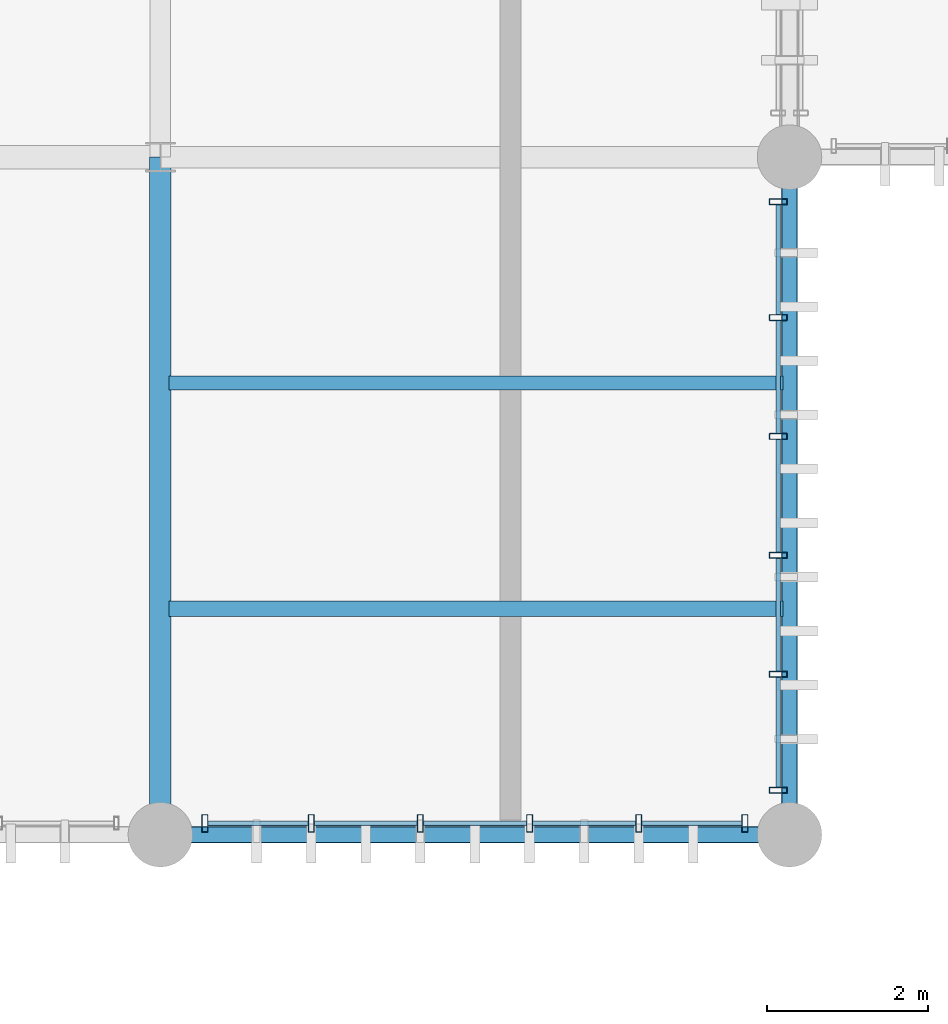
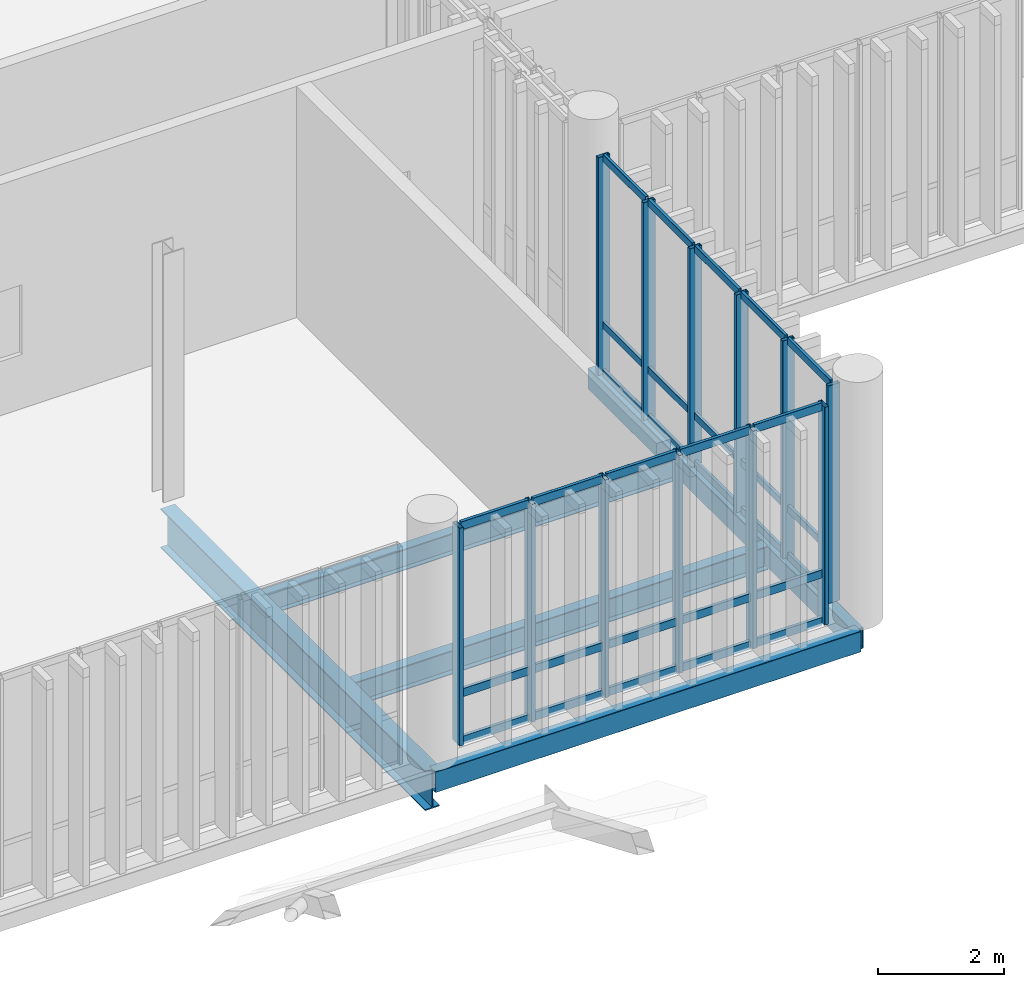
# One storey, part 18 of 94: 42 members, 5 beams, 2 elements without a shape of their own.
"""IFC4 building model written with IfcOpenShell, lengths in metres."""

from ifc_helpers import new_model, si_unit, direction, frame, origin_with_axes, origin_2d_with_axis, place, context, subcontext, project, spatial, hollow_rectangle, i_section, extrude, material, material_profile, profile_set, type_object, element, aggregate, save


model = new_model("IFC4")

# Units and contexts
model_context = context("Model", 3, precision=1e-05, world=origin_with_axes(), true_north=direction((0.0, 1.0)))
body_context = subcontext(model_context, "Body", "Model", "MODEL_VIEW")
ifc_project = project(units=[si_unit("LENGTHUNIT", "METRE"), si_unit("AREAUNIT", "SQUARE_METRE"), si_unit("VOLUMEUNIT", "CUBIC_METRE"), si_unit("PLANEANGLEUNIT", "RADIAN"), si_unit("MASSUNIT", "GRAM", prefix="KILO"), si_unit("THERMODYNAMICTEMPERATUREUNIT", "KELVIN")], contexts=[model_context])

# Site, building, storey
site_placement = place(None, origin_with_axes())
site = spatial("IfcSite", under=ifc_project, at=site_placement, CompositionType="ELEMENT")
building_placement = place(site_placement, origin_with_axes())
building = spatial("IfcBuilding", under=site, at=building_placement, Name="Montbau Bow Law Courts", CompositionType="ELEMENT")
storey_placement = place(building_placement, frame((0.0, 0.0, 15.6), z_axis=(0.0, 0.0, 1.0), x_axis=(1.0, 0.0, 0.0)))
storey = spatial("IfcBuildingStorey", under=building, at=storey_placement, Name="L03", CompositionType="ELEMENT", Elevation=15.6)

# Beams
ifc_material_1 = material(Name="Steel CSA G40.21 Grade 350W (350 MPa)", Category="steel")
ifc_material_profile_1 = material_profile(ifc_material_1, i_section(OverallWidth=0.267, OverallDepth=0.766, WebThickness=0.0149, FlangeThickness=0.0236, at=origin_2d_with_axis()), Name="W760X185", Category="Main", Priority=0)
ifc_profile_set_1 = profile_set([ifc_material_profile_1], Name="Steel CSA G40.21 Grade 350W (350 MPa)")
beam_type_1 = type_object("IfcBeamType", Name="B-FLR-03", PredefinedType="BEAM", material=ifc_profile_set_1)
beam_1_placement = place(None, frame((39.0, 30.6, 14.977), z_axis=(0.0, 1.0, 0.0), x_axis=(-1.0, 0.0, 0.0)))
element("IfcBeam", 1, at=beam_1_placement, inside=storey, type_object=beam_type_1, Name="BM-L03-S0611:bm2_0614", PredefinedType="BEAM", context=body_context, shape_type="SweptSolid", body=[
    extrude(i_section(OverallWidth=0.267, OverallDepth=0.766, WebThickness=0.0149, FlangeThickness=0.0236, at=origin_2d_with_axis()), origin_with_axes(), (0.0, 0.0, 1.0), 8.4),
])
ifc_material_profile_2 = material_profile(ifc_material_1, i_section(OverallWidth=0.191, OverallDepth=0.46, WebThickness=0.0099, FlangeThickness=0.016, at=origin_2d_with_axis()), Name="W460X82", Category="Main", Priority=0)
ifc_profile_set_2 = profile_set([ifc_material_profile_2], Name="Steel CSA G40.21 Grade 350W (350 MPa)")
beam_type_2 = type_object("IfcBeamType", Name="B-JST-01", PredefinedType="JOIST", material=ifc_profile_set_2)
beam_2_placement = place(None, frame((39.109, 33.4, 15.11), z_axis=(1.0, 0.0, 0.0), x_axis=(0.0, 1.0, 0.0)))
element("IfcBeam", 2, at=beam_2_placement, inside=storey, type_object=beam_type_2, Name="JST-L03-S0296:jst2_0296", PredefinedType="JOIST", context=body_context, shape_type="SweptSolid", body=[
    extrude(i_section(OverallWidth=0.191, OverallDepth=0.46, WebThickness=0.0099, FlangeThickness=0.016, at=origin_2d_with_axis()), origin_with_axes(), (0.0, 0.0, 1.0), 7.611),
])
ifc_material_profile_3 = material_profile(ifc_material_1, i_section(OverallWidth=0.179, OverallDepth=0.41, WebThickness=0.0088, FlangeThickness=0.0144, at=origin_2d_with_axis()), Name="W410X67", Category="Main", Priority=0)
ifc_profile_set_3 = profile_set([ifc_material_profile_3], Name="Steel CSA G40.21 Grade 350W (350 MPa)")
beam_type_3 = type_object("IfcBeamType", Name="B-JST-02", PredefinedType="JOIST", material=ifc_profile_set_3)
beam_3_placement = place(None, frame((39.109, 36.2, 15.135), z_axis=(1.0, 0.0, 0.0), x_axis=(0.0, 1.0, 0.0)))
element("IfcBeam", 3, at=beam_3_placement, inside=storey, type_object=beam_type_3, Name="JST-L03-S0297:jst2_0297", PredefinedType="JOIST", context=body_context, shape_type="SweptSolid", body=[
    extrude(i_section(OverallWidth=0.179, OverallDepth=0.41, WebThickness=0.0088, FlangeThickness=0.0144, at=origin_2d_with_axis()), origin_with_axes(), (0.0, 0.0, 1.0), 7.611),
])
ifc_material_2 = material(Name="Steel CSA G40.21 Grade 350WT (350 MPa)", Category="steel")
ifc_material_profile_4 = material_profile(ifc_material_2, hollow_rectangle(XDim=0.203, YDim=0.406, WallThickness=0.0127, InnerFilletRadius=0.0254, OuterFilletRadius=0.0127, at=origin_2d_with_axis()), Name="HSS406X203X13", Category="Main", Priority=0)
ifc_profile_set_4 = profile_set([ifc_material_profile_4], Name="Steel CSA G40.21 Grade 350WT (350 MPa)")
beam_type_4 = type_object("IfcBeamType", Name="B-SPN-01", PredefinedType="SPANDREL", material=ifc_profile_set_4)
beam_4_placement = place(None, frame((39.0, 30.6, 15.157), z_axis=(1.0, 0.0, 0.0), x_axis=(0.0, 1.0, 0.0)))
element("IfcBeam", 4, at=beam_4_placement, inside=storey, type_object=beam_type_4, Name="SPN-L03-S0585:bm2_0588", PredefinedType="SPANDREL", context=body_context, shape_type="SweptSolid", body=[
    extrude(hollow_rectangle(XDim=0.203, YDim=0.406, WallThickness=0.0127, InnerFilletRadius=0.0254, OuterFilletRadius=0.0127, at=origin_2d_with_axis()), origin_with_axes(), (0.0, 0.0, 1.0), 7.8),
])
beam_5_placement = place(None, frame((46.8, 30.6, 15.137), z_axis=(0.0, 1.0, 0.0), x_axis=(-1.0, 0.0, 0.0)))
element("IfcBeam", 5, at=beam_5_placement, inside=storey, type_object=beam_type_4, Name="SPN-L03-S0614:bm2_0617", PredefinedType="SPANDREL", context=body_context, shape_type="SweptSolid", body=[
    extrude(hollow_rectangle(XDim=0.203, YDim=0.406, WallThickness=0.0127, InnerFilletRadius=0.0254, OuterFilletRadius=0.0127, at=origin_2d_with_axis()), origin_with_axes(), (0.0, 0.0, 1.0), 8.4),
])

# Curtain wall, members
ifc_material_3 = material(Name="Thermally Broken Extruded Aluminium AA 6063-T6", Category="aluminium")
curtain_wall_type = type_object("IfcCurtainWallType", Name="CW-TRC-01", PredefinedType="NOTDEFINED", material=ifc_material_3)
curtain_wall_1_placement = place(None, frame((39.515, 30.74, 15.6), z_axis=(0.0, 0.0, 1.0), x_axis=(1.0, 0.0, 0.0)))
curtain_wall_1 = element("IfcCurtainWall", 6, at=curtain_wall_1_placement, inside=storey, type_object=curtain_wall_type, Name="CW-L03-054:cw_0054", PredefinedType="NOTDEFINED")
ifc_material_profile_5 = material_profile(ifc_material_3, hollow_rectangle(XDim=0.075, YDim=0.22, WallThickness=0.005, InnerFilletRadius=0.01, OuterFilletRadius=0.005, at=origin_2d_with_axis()), Name="CWM-220X75", Category="Main", Priority=0)
ifc_profile_set_5 = profile_set([ifc_material_profile_5], Name="Thermally Broken Extruded Aluminium AA 6063-T6")
member_type_1 = type_object("IfcMemberType", Name="M-MUL-01", PredefinedType="MULLION", material=ifc_profile_set_5)
member_1_placement = place(None, frame((39.552, 30.74, 15.6), z_axis=(0.0, 0.0, 1.0), x_axis=(1.0, 0.0, 0.0)))
member_1 = element("IfcMember", 7, at=member_1_placement, type_object=member_type_1, Name="CW-L03-054-M01:cw_0054_M01", PredefinedType="MULLION", context=body_context, shape_type="SweptSolid", body=[
    extrude(hollow_rectangle(XDim=0.075, YDim=0.22, WallThickness=0.005, InnerFilletRadius=0.01, OuterFilletRadius=0.005, at=origin_2d_with_axis()), origin_with_axes(), (0.0, 0.0, 1.0), 4.22),
])
member_2_placement = place(None, frame((40.869, 30.74, 15.6), z_axis=(0.0, 0.0, 1.0), x_axis=(1.0, 0.0, 0.0)))
member_2 = element("IfcMember", 8, at=member_2_placement, type_object=member_type_1, Name="CW-L03-054-M02:cw_0054_M02", PredefinedType="MULLION", context=body_context, shape_type="SweptSolid", body=[
    extrude(hollow_rectangle(XDim=0.075, YDim=0.22, WallThickness=0.005, InnerFilletRadius=0.01, OuterFilletRadius=0.005, at=origin_2d_with_axis()), origin_with_axes(), (0.0, 0.0, 1.0), 4.22),
])
member_3_placement = place(None, frame((42.223, 30.74, 15.6), z_axis=(0.0, 0.0, 1.0), x_axis=(1.0, 0.0, 0.0)))
member_3 = element("IfcMember", 9, at=member_3_placement, type_object=member_type_1, Name="CW-L03-054-M03:cw_0054_M03", PredefinedType="MULLION", context=body_context, shape_type="SweptSolid", body=[
    extrude(hollow_rectangle(XDim=0.075, YDim=0.22, WallThickness=0.005, InnerFilletRadius=0.01, OuterFilletRadius=0.005, at=origin_2d_with_axis()), origin_with_axes(), (0.0, 0.0, 1.0), 4.22),
])
member_4_placement = place(None, frame((43.577, 30.74, 15.6), z_axis=(0.0, 0.0, 1.0), x_axis=(1.0, 0.0, 0.0)))
member_4 = element("IfcMember", 10, at=member_4_placement, type_object=member_type_1, Name="CW-L03-054-M04:cw_0054_M04", PredefinedType="MULLION", context=body_context, shape_type="SweptSolid", body=[
    extrude(hollow_rectangle(XDim=0.075, YDim=0.22, WallThickness=0.005, InnerFilletRadius=0.01, OuterFilletRadius=0.005, at=origin_2d_with_axis()), origin_with_axes(), (0.0, 0.0, 1.0), 4.22),
])
member_5_placement = place(None, frame((44.931, 30.74, 15.6), z_axis=(0.0, 0.0, 1.0), x_axis=(1.0, 0.0, 0.0)))
member_5 = element("IfcMember", 11, at=member_5_placement, type_object=member_type_1, Name="CW-L03-054-M05:cw_0054_M05", PredefinedType="MULLION", context=body_context, shape_type="SweptSolid", body=[
    extrude(hollow_rectangle(XDim=0.075, YDim=0.22, WallThickness=0.005, InnerFilletRadius=0.01, OuterFilletRadius=0.005, at=origin_2d_with_axis()), origin_with_axes(), (0.0, 0.0, 1.0), 4.22),
])
member_6_placement = place(None, frame((46.247, 30.74, 15.6), z_axis=(0.0, 0.0, 1.0), x_axis=(1.0, 0.0, 0.0)))
member_6 = element("IfcMember", 12, at=member_6_placement, type_object=member_type_1, Name="CW-L03-054-M06:cw_0054_M06", PredefinedType="MULLION", context=body_context, shape_type="SweptSolid", body=[
    extrude(hollow_rectangle(XDim=0.075, YDim=0.22, WallThickness=0.005, InnerFilletRadius=0.01, OuterFilletRadius=0.005, at=origin_2d_with_axis()), origin_with_axes(), (0.0, 0.0, 1.0), 4.22),
])

curtain_wall_2_placement = place(None, frame((46.66, 31.115, 15.6), z_axis=(0.0, 0.0, 1.0), x_axis=(1.0, 0.0, 0.0)))
curtain_wall_2 = element("IfcCurtainWall", 13, at=curtain_wall_2_placement, inside=storey, type_object=curtain_wall_type, Name="CW-L03-063:cw_0063", PredefinedType="NOTDEFINED")
member_7_placement = place(None, frame((46.66, 31.152, 15.6), z_axis=(0.0, 0.0, 1.0), x_axis=(0.0, 1.0, 0.0)))
member_7 = element("IfcMember", 14, at=member_7_placement, type_object=member_type_1, Name="CW-L03-063-M01:cw_0063_M01", PredefinedType="MULLION", context=body_context, shape_type="SweptSolid", body=[
    extrude(hollow_rectangle(XDim=0.075, YDim=0.22, WallThickness=0.005, InnerFilletRadius=0.01, OuterFilletRadius=0.005, at=origin_2d_with_axis()), origin_with_axes(), (0.0, 0.0, 1.0), 4.22),
])
member_8_placement = place(None, frame((46.66, 32.589, 15.6), z_axis=(0.0, 0.0, 1.0), x_axis=(0.0, 1.0, 0.0)))
member_8 = element("IfcMember", 15, at=member_8_placement, type_object=member_type_1, Name="CW-L03-063-M02:cw_0063_M02", PredefinedType="MULLION", context=body_context, shape_type="SweptSolid", body=[
    extrude(hollow_rectangle(XDim=0.075, YDim=0.22, WallThickness=0.005, InnerFilletRadius=0.01, OuterFilletRadius=0.005, at=origin_2d_with_axis()), origin_with_axes(), (0.0, 0.0, 1.0), 4.22),
])
member_9_placement = place(None, frame((46.66, 34.063, 15.6), z_axis=(0.0, 0.0, 1.0), x_axis=(0.0, 1.0, 0.0)))
member_9 = element("IfcMember", 16, at=member_9_placement, type_object=member_type_1, Name="CW-L03-063-M03:cw_0063_M03", PredefinedType="MULLION", context=body_context, shape_type="SweptSolid", body=[
    extrude(hollow_rectangle(XDim=0.075, YDim=0.22, WallThickness=0.005, InnerFilletRadius=0.01, OuterFilletRadius=0.005, at=origin_2d_with_axis()), origin_with_axes(), (0.0, 0.0, 1.0), 4.22),
])
member_10_placement = place(None, frame((46.66, 35.537, 15.6), z_axis=(0.0, 0.0, 1.0), x_axis=(0.0, 1.0, 0.0)))
member_10 = element("IfcMember", 17, at=member_10_placement, type_object=member_type_1, Name="CW-L03-063-M04:cw_0063_M04", PredefinedType="MULLION", context=body_context, shape_type="SweptSolid", body=[
    extrude(hollow_rectangle(XDim=0.075, YDim=0.22, WallThickness=0.005, InnerFilletRadius=0.01, OuterFilletRadius=0.005, at=origin_2d_with_axis()), origin_with_axes(), (0.0, 0.0, 1.0), 4.22),
])
member_11_placement = place(None, frame((46.66, 37.011, 15.6), z_axis=(0.0, 0.0, 1.0), x_axis=(0.0, 1.0, 0.0)))
member_11 = element("IfcMember", 18, at=member_11_placement, type_object=member_type_1, Name="CW-L03-063-M05:cw_0063_M05", PredefinedType="MULLION", context=body_context, shape_type="SweptSolid", body=[
    extrude(hollow_rectangle(XDim=0.075, YDim=0.22, WallThickness=0.005, InnerFilletRadius=0.01, OuterFilletRadius=0.005, at=origin_2d_with_axis()), origin_with_axes(), (0.0, 0.0, 1.0), 4.22),
])
member_12_placement = place(None, frame((46.66, 38.448, 15.6), z_axis=(0.0, 0.0, 1.0), x_axis=(0.0, 1.0, 0.0)))
member_12 = element("IfcMember", 19, at=member_12_placement, type_object=member_type_1, Name="CW-L03-063-M06:cw_0063_M06", PredefinedType="MULLION", context=body_context, shape_type="SweptSolid", body=[
    extrude(hollow_rectangle(XDim=0.075, YDim=0.22, WallThickness=0.005, InnerFilletRadius=0.01, OuterFilletRadius=0.005, at=origin_2d_with_axis()), origin_with_axes(), (0.0, 0.0, 1.0), 4.22),
])

# Member
ifc_material_profile_6 = material_profile(ifc_material_3, hollow_rectangle(XDim=0.06, YDim=0.16, WallThickness=0.004, InnerFilletRadius=0.008, OuterFilletRadius=0.004, at=origin_2d_with_axis()), Name="CWT-160X60", Category="Main", Priority=0)
ifc_profile_set_6 = profile_set([ifc_material_profile_6], Name="Thermally Broken Extruded Aluminium AA 6063-T6")
member_type_2 = type_object("IfcMemberType", Name="M-TRN-01", PredefinedType="USERDEFINED", material=ifc_profile_set_6)
member_13_placement = place(None, frame((39.591, 30.74, 15.63), z_axis=(1.0, 0.0, 0.0), x_axis=(0.0, 1.0, 0.0)))
member_13 = element("IfcMember", 20, at=member_13_placement, type_object=member_type_2, Name="CW-L03-054-T01-1:cw_0054_T01_1", ObjectType="TRANSOM", PredefinedType="USERDEFINED", context=body_context, shape_type="SweptSolid", body=[
    extrude(hollow_rectangle(XDim=0.06, YDim=0.16, WallThickness=0.004, InnerFilletRadius=0.008, OuterFilletRadius=0.004, at=origin_2d_with_axis()), origin_with_axes(), (0.0, 0.0, 1.0), 1.239),
])

member_14_placement = place(None, frame((39.591, 30.74, 16.55), z_axis=(1.0, 0.0, 0.0), x_axis=(0.0, 1.0, 0.0)))
member_14 = element("IfcMember", 21, at=member_14_placement, type_object=member_type_2, Name="CW-L03-054-T01-2:cw_0054_T01_2", ObjectType="TRANSOM", PredefinedType="USERDEFINED", context=body_context, shape_type="SweptSolid", body=[
    extrude(hollow_rectangle(XDim=0.06, YDim=0.16, WallThickness=0.004, InnerFilletRadius=0.008, OuterFilletRadius=0.004, at=origin_2d_with_axis()), origin_with_axes(), (0.0, 0.0, 1.0), 1.239),
])

member_15_placement = place(None, frame((39.591, 30.74, 19.79), z_axis=(1.0, 0.0, 0.0), x_axis=(0.0, 1.0, 0.0)))
member_15 = element("IfcMember", 22, at=member_15_placement, type_object=member_type_2, Name="CW-L03-054-T01-3:cw_0054_T01_3", ObjectType="TRANSOM", PredefinedType="USERDEFINED", context=body_context, shape_type="SweptSolid", body=[
    extrude(hollow_rectangle(XDim=0.06, YDim=0.16, WallThickness=0.004, InnerFilletRadius=0.008, OuterFilletRadius=0.004, at=origin_2d_with_axis()), origin_with_axes(), (0.0, 0.0, 1.0), 1.239),
])

member_16_placement = place(None, frame((40.909, 30.74, 15.63), z_axis=(1.0, 0.0, 0.0), x_axis=(0.0, 1.0, 0.0)))
member_16 = element("IfcMember", 23, at=member_16_placement, type_object=member_type_2, Name="CW-L03-054-T02-1:cw_0054_T02_1", ObjectType="TRANSOM", PredefinedType="USERDEFINED", context=body_context, shape_type="SweptSolid", body=[
    extrude(hollow_rectangle(XDim=0.06, YDim=0.16, WallThickness=0.004, InnerFilletRadius=0.008, OuterFilletRadius=0.004, at=origin_2d_with_axis()), origin_with_axes(), (0.0, 0.0, 1.0), 1.275),
])

member_17_placement = place(None, frame((40.909, 30.74, 16.55), z_axis=(1.0, 0.0, 0.0), x_axis=(0.0, 1.0, 0.0)))
member_17 = element("IfcMember", 24, at=member_17_placement, type_object=member_type_2, Name="CW-L03-054-T02-2:cw_0054_T02_2", ObjectType="TRANSOM", PredefinedType="USERDEFINED", context=body_context, shape_type="SweptSolid", body=[
    extrude(hollow_rectangle(XDim=0.06, YDim=0.16, WallThickness=0.004, InnerFilletRadius=0.008, OuterFilletRadius=0.004, at=origin_2d_with_axis()), origin_with_axes(), (0.0, 0.0, 1.0), 1.275),
])

member_18_placement = place(None, frame((40.909, 30.74, 19.79), z_axis=(1.0, 0.0, 0.0), x_axis=(0.0, 1.0, 0.0)))
member_18 = element("IfcMember", 25, at=member_18_placement, type_object=member_type_2, Name="CW-L03-054-T02-3:cw_0054_T02_3", ObjectType="TRANSOM", PredefinedType="USERDEFINED", context=body_context, shape_type="SweptSolid", body=[
    extrude(hollow_rectangle(XDim=0.06, YDim=0.16, WallThickness=0.004, InnerFilletRadius=0.008, OuterFilletRadius=0.004, at=origin_2d_with_axis()), origin_with_axes(), (0.0, 0.0, 1.0), 1.275),
])

member_19_placement = place(None, frame((42.263, 30.74, 15.63), z_axis=(1.0, 0.0, 0.0), x_axis=(0.0, 1.0, 0.0)))
member_19 = element("IfcMember", 26, at=member_19_placement, type_object=member_type_2, Name="CW-L03-054-T03-1:cw_0054_T03_1", ObjectType="TRANSOM", PredefinedType="USERDEFINED", context=body_context, shape_type="SweptSolid", body=[
    extrude(hollow_rectangle(XDim=0.06, YDim=0.16, WallThickness=0.004, InnerFilletRadius=0.008, OuterFilletRadius=0.004, at=origin_2d_with_axis()), origin_with_axes(), (0.0, 0.0, 1.0), 1.275),
])

member_20_placement = place(None, frame((42.263, 30.74, 16.55), z_axis=(1.0, 0.0, 0.0), x_axis=(0.0, 1.0, 0.0)))
member_20 = element("IfcMember", 27, at=member_20_placement, type_object=member_type_2, Name="CW-L03-054-T03-2:cw_0054_T03_2", ObjectType="TRANSOM", PredefinedType="USERDEFINED", context=body_context, shape_type="SweptSolid", body=[
    extrude(hollow_rectangle(XDim=0.06, YDim=0.16, WallThickness=0.004, InnerFilletRadius=0.008, OuterFilletRadius=0.004, at=origin_2d_with_axis()), origin_with_axes(), (0.0, 0.0, 1.0), 1.275),
])

member_21_placement = place(None, frame((42.263, 30.74, 19.79), z_axis=(1.0, 0.0, 0.0), x_axis=(0.0, 1.0, 0.0)))
member_21 = element("IfcMember", 28, at=member_21_placement, type_object=member_type_2, Name="CW-L03-054-T03-3:cw_0054_T03_3", ObjectType="TRANSOM", PredefinedType="USERDEFINED", context=body_context, shape_type="SweptSolid", body=[
    extrude(hollow_rectangle(XDim=0.06, YDim=0.16, WallThickness=0.004, InnerFilletRadius=0.008, OuterFilletRadius=0.004, at=origin_2d_with_axis()), origin_with_axes(), (0.0, 0.0, 1.0), 1.275),
])

member_22_placement = place(None, frame((43.616, 30.74, 15.63), z_axis=(1.0, 0.0, 0.0), x_axis=(0.0, 1.0, 0.0)))
member_22 = element("IfcMember", 29, at=member_22_placement, type_object=member_type_2, Name="CW-L03-054-T04-1:cw_0054_T04_1", ObjectType="TRANSOM", PredefinedType="USERDEFINED", context=body_context, shape_type="SweptSolid", body=[
    extrude(hollow_rectangle(XDim=0.06, YDim=0.16, WallThickness=0.004, InnerFilletRadius=0.008, OuterFilletRadius=0.004, at=origin_2d_with_axis()), origin_with_axes(), (0.0, 0.0, 1.0), 1.276),
])

member_23_placement = place(None, frame((43.616, 30.74, 16.55), z_axis=(1.0, 0.0, 0.0), x_axis=(0.0, 1.0, 0.0)))
member_23 = element("IfcMember", 30, at=member_23_placement, type_object=member_type_2, Name="CW-L03-054-T04-2:cw_0054_T04_2", ObjectType="TRANSOM", PredefinedType="USERDEFINED", context=body_context, shape_type="SweptSolid", body=[
    extrude(hollow_rectangle(XDim=0.06, YDim=0.16, WallThickness=0.004, InnerFilletRadius=0.008, OuterFilletRadius=0.004, at=origin_2d_with_axis()), origin_with_axes(), (0.0, 0.0, 1.0), 1.276),
])

member_24_placement = place(None, frame((43.616, 30.74, 19.79), z_axis=(1.0, 0.0, 0.0), x_axis=(0.0, 1.0, 0.0)))
member_24 = element("IfcMember", 31, at=member_24_placement, type_object=member_type_2, Name="CW-L03-054-T04-3:cw_0054_T04_3", ObjectType="TRANSOM", PredefinedType="USERDEFINED", context=body_context, shape_type="SweptSolid", body=[
    extrude(hollow_rectangle(XDim=0.06, YDim=0.16, WallThickness=0.004, InnerFilletRadius=0.008, OuterFilletRadius=0.004, at=origin_2d_with_axis()), origin_with_axes(), (0.0, 0.0, 1.0), 1.276),
])

member_25_placement = place(None, frame((44.97, 30.74, 15.63), z_axis=(1.0, 0.0, 0.0), x_axis=(0.0, 1.0, 0.0)))
member_25 = element("IfcMember", 32, at=member_25_placement, type_object=member_type_2, Name="CW-L03-054-T05-1:cw_0054_T05_1", ObjectType="TRANSOM", PredefinedType="USERDEFINED", context=body_context, shape_type="SweptSolid", body=[
    extrude(hollow_rectangle(XDim=0.06, YDim=0.16, WallThickness=0.004, InnerFilletRadius=0.008, OuterFilletRadius=0.004, at=origin_2d_with_axis()), origin_with_axes(), (0.0, 0.0, 1.0), 1.238),
])

member_26_placement = place(None, frame((44.97, 30.74, 16.55), z_axis=(1.0, 0.0, 0.0), x_axis=(0.0, 1.0, 0.0)))
member_26 = element("IfcMember", 33, at=member_26_placement, type_object=member_type_2, Name="CW-L03-054-T05-2:cw_0054_T05_2", ObjectType="TRANSOM", PredefinedType="USERDEFINED", context=body_context, shape_type="SweptSolid", body=[
    extrude(hollow_rectangle(XDim=0.06, YDim=0.16, WallThickness=0.004, InnerFilletRadius=0.008, OuterFilletRadius=0.004, at=origin_2d_with_axis()), origin_with_axes(), (0.0, 0.0, 1.0), 1.238),
])

member_27_placement = place(None, frame((44.97, 30.74, 19.79), z_axis=(1.0, 0.0, 0.0), x_axis=(0.0, 1.0, 0.0)))
member_27 = element("IfcMember", 34, at=member_27_placement, type_object=member_type_2, Name="CW-L03-054-T05-3:cw_0054_T05_3", ObjectType="TRANSOM", PredefinedType="USERDEFINED", context=body_context, shape_type="SweptSolid", body=[
    extrude(hollow_rectangle(XDim=0.06, YDim=0.16, WallThickness=0.004, InnerFilletRadius=0.008, OuterFilletRadius=0.004, at=origin_2d_with_axis()), origin_with_axes(), (0.0, 0.0, 1.0), 1.238),
])

aggregate(curtain_wall_1, [member_1, member_2, member_3, member_4, member_5, member_6, member_13, member_14, member_15, member_16, member_17, member_18, member_19, member_20, member_21, member_22, member_23, member_24, member_25, member_26, member_27])

ifc_material_profile_7 = material_profile(ifc_material_3, hollow_rectangle(XDim=0.055, YDim=0.14, WallThickness=0.004, InnerFilletRadius=0.008, OuterFilletRadius=0.004, at=origin_2d_with_axis()), Name="CWT-140X55", Category="Main", Priority=0)
ifc_profile_set_7 = profile_set([ifc_material_profile_7], Name="Thermally Broken Extruded Aluminium AA 6063-T6")
member_type_3 = type_object("IfcMemberType", Name="M-TRN-02", PredefinedType="USERDEFINED", material=ifc_profile_set_7)
member_28_placement = place(None, frame((46.66, 31.191, 15.627), z_axis=(0.0, 1.0, 0.0), x_axis=(-1.0, 0.0, 0.0)))
member_28 = element("IfcMember", 35, at=member_28_placement, type_object=member_type_3, Name="CW-L03-063-T01-1:cw_0063_T01_1", ObjectType="TRANSOM", PredefinedType="USERDEFINED", context=body_context, shape_type="SweptSolid", body=[
    extrude(hollow_rectangle(XDim=0.055, YDim=0.14, WallThickness=0.004, InnerFilletRadius=0.008, OuterFilletRadius=0.004, at=origin_2d_with_axis()), origin_with_axes(), (0.0, 0.0, 1.0), 1.358),
])

member_29_placement = place(None, frame((46.66, 31.191, 16.55), z_axis=(0.0, 1.0, 0.0), x_axis=(-1.0, 0.0, 0.0)))
member_29 = element("IfcMember", 36, at=member_29_placement, type_object=member_type_3, Name="CW-L03-063-T01-2:cw_0063_T01_2", ObjectType="TRANSOM", PredefinedType="USERDEFINED", context=body_context, shape_type="SweptSolid", body=[
    extrude(hollow_rectangle(XDim=0.055, YDim=0.14, WallThickness=0.004, InnerFilletRadius=0.008, OuterFilletRadius=0.004, at=origin_2d_with_axis()), origin_with_axes(), (0.0, 0.0, 1.0), 1.358),
])

member_30_placement = place(None, frame((46.66, 31.191, 19.793), z_axis=(0.0, 1.0, 0.0), x_axis=(-1.0, 0.0, 0.0)))
member_30 = element("IfcMember", 37, at=member_30_placement, type_object=member_type_3, Name="CW-L03-063-T01-3:cw_0063_T01_3", ObjectType="TRANSOM", PredefinedType="USERDEFINED", context=body_context, shape_type="SweptSolid", body=[
    extrude(hollow_rectangle(XDim=0.055, YDim=0.14, WallThickness=0.004, InnerFilletRadius=0.008, OuterFilletRadius=0.004, at=origin_2d_with_axis()), origin_with_axes(), (0.0, 0.0, 1.0), 1.358),
])

member_31_placement = place(None, frame((46.66, 32.629, 15.627), z_axis=(0.0, 1.0, 0.0), x_axis=(-1.0, 0.0, 0.0)))
member_31 = element("IfcMember", 38, at=member_31_placement, type_object=member_type_3, Name="CW-L03-063-T02-1:cw_0063_T02_1", ObjectType="TRANSOM", PredefinedType="USERDEFINED", context=body_context, shape_type="SweptSolid", body=[
    extrude(hollow_rectangle(XDim=0.055, YDim=0.14, WallThickness=0.004, InnerFilletRadius=0.008, OuterFilletRadius=0.004, at=origin_2d_with_axis()), origin_with_axes(), (0.0, 0.0, 1.0), 1.395),
])

member_32_placement = place(None, frame((46.66, 32.629, 16.55), z_axis=(0.0, 1.0, 0.0), x_axis=(-1.0, 0.0, 0.0)))
member_32 = element("IfcMember", 39, at=member_32_placement, type_object=member_type_3, Name="CW-L03-063-T02-2:cw_0063_T02_2", ObjectType="TRANSOM", PredefinedType="USERDEFINED", context=body_context, shape_type="SweptSolid", body=[
    extrude(hollow_rectangle(XDim=0.055, YDim=0.14, WallThickness=0.004, InnerFilletRadius=0.008, OuterFilletRadius=0.004, at=origin_2d_with_axis()), origin_with_axes(), (0.0, 0.0, 1.0), 1.395),
])

member_33_placement = place(None, frame((46.66, 32.629, 19.793), z_axis=(0.0, 1.0, 0.0), x_axis=(-1.0, 0.0, 0.0)))
member_33 = element("IfcMember", 40, at=member_33_placement, type_object=member_type_3, Name="CW-L03-063-T02-3:cw_0063_T02_3", ObjectType="TRANSOM", PredefinedType="USERDEFINED", context=body_context, shape_type="SweptSolid", body=[
    extrude(hollow_rectangle(XDim=0.055, YDim=0.14, WallThickness=0.004, InnerFilletRadius=0.008, OuterFilletRadius=0.004, at=origin_2d_with_axis()), origin_with_axes(), (0.0, 0.0, 1.0), 1.395),
])

member_34_placement = place(None, frame((46.66, 34.102, 15.627), z_axis=(0.0, 1.0, 0.0), x_axis=(-1.0, 0.0, 0.0)))
member_34 = element("IfcMember", 41, at=member_34_placement, type_object=member_type_3, Name="CW-L03-063-T03-1:cw_0063_T03_1", ObjectType="TRANSOM", PredefinedType="USERDEFINED", context=body_context, shape_type="SweptSolid", body=[
    extrude(hollow_rectangle(XDim=0.055, YDim=0.14, WallThickness=0.004, InnerFilletRadius=0.008, OuterFilletRadius=0.004, at=origin_2d_with_axis()), origin_with_axes(), (0.0, 0.0, 1.0), 1.396),
])

member_35_placement = place(None, frame((46.66, 34.102, 16.55), z_axis=(0.0, 1.0, 0.0), x_axis=(-1.0, 0.0, 0.0)))
member_35 = element("IfcMember", 42, at=member_35_placement, type_object=member_type_3, Name="CW-L03-063-T03-2:cw_0063_T03_2", ObjectType="TRANSOM", PredefinedType="USERDEFINED", context=body_context, shape_type="SweptSolid", body=[
    extrude(hollow_rectangle(XDim=0.055, YDim=0.14, WallThickness=0.004, InnerFilletRadius=0.008, OuterFilletRadius=0.004, at=origin_2d_with_axis()), origin_with_axes(), (0.0, 0.0, 1.0), 1.396),
])

member_36_placement = place(None, frame((46.66, 34.102, 19.793), z_axis=(0.0, 1.0, 0.0), x_axis=(-1.0, 0.0, 0.0)))
member_36 = element("IfcMember", 43, at=member_36_placement, type_object=member_type_3, Name="CW-L03-063-T03-3:cw_0063_T03_3", ObjectType="TRANSOM", PredefinedType="USERDEFINED", context=body_context, shape_type="SweptSolid", body=[
    extrude(hollow_rectangle(XDim=0.055, YDim=0.14, WallThickness=0.004, InnerFilletRadius=0.008, OuterFilletRadius=0.004, at=origin_2d_with_axis()), origin_with_axes(), (0.0, 0.0, 1.0), 1.396),
])

member_37_placement = place(None, frame((46.66, 35.576, 15.627), z_axis=(0.0, 1.0, 0.0), x_axis=(-1.0, 0.0, 0.0)))
member_37 = element("IfcMember", 44, at=member_37_placement, type_object=member_type_3, Name="CW-L03-063-T04-1:cw_0063_T04_1", ObjectType="TRANSOM", PredefinedType="USERDEFINED", context=body_context, shape_type="SweptSolid", body=[
    extrude(hollow_rectangle(XDim=0.055, YDim=0.14, WallThickness=0.004, InnerFilletRadius=0.008, OuterFilletRadius=0.004, at=origin_2d_with_axis()), origin_with_axes(), (0.0, 0.0, 1.0), 1.396),
])

member_38_placement = place(None, frame((46.66, 35.576, 16.55), z_axis=(0.0, 1.0, 0.0), x_axis=(-1.0, 0.0, 0.0)))
member_38 = element("IfcMember", 45, at=member_38_placement, type_object=member_type_3, Name="CW-L03-063-T04-2:cw_0063_T04_2", ObjectType="TRANSOM", PredefinedType="USERDEFINED", context=body_context, shape_type="SweptSolid", body=[
    extrude(hollow_rectangle(XDim=0.055, YDim=0.14, WallThickness=0.004, InnerFilletRadius=0.008, OuterFilletRadius=0.004, at=origin_2d_with_axis()), origin_with_axes(), (0.0, 0.0, 1.0), 1.396),
])

member_39_placement = place(None, frame((46.66, 35.576, 19.793), z_axis=(0.0, 1.0, 0.0), x_axis=(-1.0, 0.0, 0.0)))
member_39 = element("IfcMember", 46, at=member_39_placement, type_object=member_type_3, Name="CW-L03-063-T04-3:cw_0063_T04_3", ObjectType="TRANSOM", PredefinedType="USERDEFINED", context=body_context, shape_type="SweptSolid", body=[
    extrude(hollow_rectangle(XDim=0.055, YDim=0.14, WallThickness=0.004, InnerFilletRadius=0.008, OuterFilletRadius=0.004, at=origin_2d_with_axis()), origin_with_axes(), (0.0, 0.0, 1.0), 1.396),
])

member_40_placement = place(None, frame((46.66, 37.05, 15.627), z_axis=(0.0, 1.0, 0.0), x_axis=(-1.0, 0.0, 0.0)))
member_40 = element("IfcMember", 47, at=member_40_placement, type_object=member_type_3, Name="CW-L03-063-T05-1:cw_0063_T05_1", ObjectType="TRANSOM", PredefinedType="USERDEFINED", context=body_context, shape_type="SweptSolid", body=[
    extrude(hollow_rectangle(XDim=0.055, YDim=0.14, WallThickness=0.004, InnerFilletRadius=0.008, OuterFilletRadius=0.004, at=origin_2d_with_axis()), origin_with_axes(), (0.0, 0.0, 1.0), 1.359),
])

member_41_placement = place(None, frame((46.66, 37.05, 16.55), z_axis=(0.0, 1.0, 0.0), x_axis=(-1.0, 0.0, 0.0)))
member_41 = element("IfcMember", 48, at=member_41_placement, type_object=member_type_3, Name="CW-L03-063-T05-2:cw_0063_T05_2", ObjectType="TRANSOM", PredefinedType="USERDEFINED", context=body_context, shape_type="SweptSolid", body=[
    extrude(hollow_rectangle(XDim=0.055, YDim=0.14, WallThickness=0.004, InnerFilletRadius=0.008, OuterFilletRadius=0.004, at=origin_2d_with_axis()), origin_with_axes(), (0.0, 0.0, 1.0), 1.359),
])

member_42_placement = place(None, frame((46.66, 37.05, 19.793), z_axis=(0.0, 1.0, 0.0), x_axis=(-1.0, 0.0, 0.0)))
member_42 = element("IfcMember", 49, at=member_42_placement, type_object=member_type_3, Name="CW-L03-063-T05-3:cw_0063_T05_3", ObjectType="TRANSOM", PredefinedType="USERDEFINED", context=body_context, shape_type="SweptSolid", body=[
    extrude(hollow_rectangle(XDim=0.055, YDim=0.14, WallThickness=0.004, InnerFilletRadius=0.008, OuterFilletRadius=0.004, at=origin_2d_with_axis()), origin_with_axes(), (0.0, 0.0, 1.0), 1.359),
])

aggregate(curtain_wall_2, [member_7, member_8, member_9, member_10, member_11, member_12, member_28, member_29, member_30, member_31, member_32, member_33, member_34, member_35, member_36, member_37, member_38, member_39, member_40, member_41, member_42])

save(model, "model.ifc")
